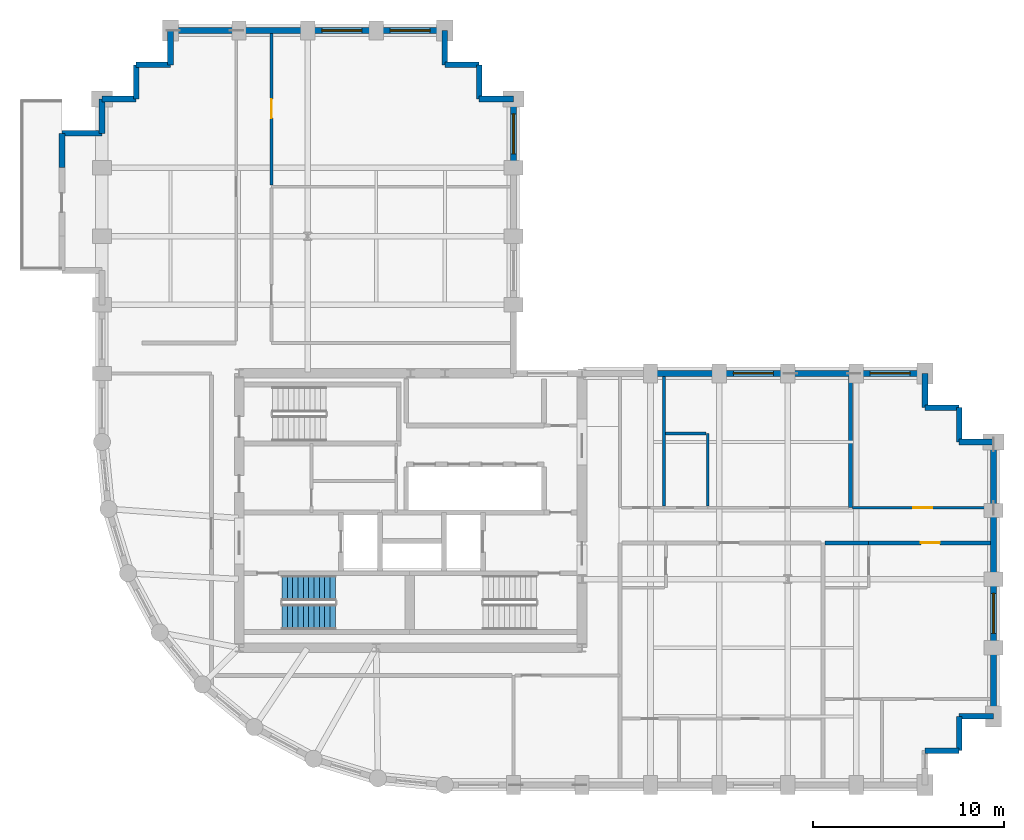
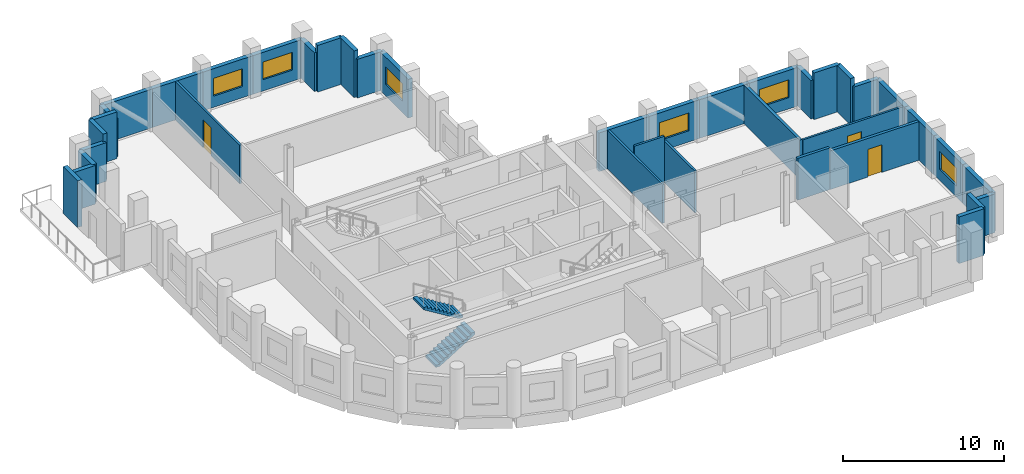
# One storey, part 6 of 9: 39 walls, 6 windows, 3 doors, 2 stair flights, 9 openings, 1 element without a shape of its own.
"""IFC4 building model written with IfcOpenShell, lengths in metres."""

import ifcopenshell
import ifcopenshell.guid

model = None  # the IFC model being written
_history = None  # IfcOwnerHistory: only IFC2X3 demands one
_inside = {}  # id of a spatial element -> (the spatial element, [elements in it])
_under = {}  # id of a project, library or spatial element -> (it, [spatial elements below it])
_declared = {}  # id of a project -> (the project, [libraries it declares])
_typed = {}  # id of a type object -> (the type object, [elements of that type])
_made_of = {}  # id of a material, layer set ... -> (it, [elements and type objects made of it])


def new_model(schema):
    """Start an empty IFC model of exactly this schema.

    Asked for "IFC4X3", IfcOpenShell would pick the latest addendum, in which some entities
    have other attributes; the version numbers below select the first issue.
    IFC2X3 requires an IfcOwnerHistory on every rooted entity: one is made here for all.
    """
    global model, _history
    if schema == "IFC4X3":
        model = ifcopenshell.file(schema_version=(4, 3, 0, 0))
    else:
        model = ifcopenshell.file(schema=schema)
    _inside.clear()
    _under.clear()
    _declared.clear()
    _typed.clear()
    _made_of.clear()
    _history = None
    if model.schema == "IFC2X3":
        org = make("IfcOrganization", Name="unknown")
        user = make(
            "IfcPersonAndOrganization",
            ThePerson=make("IfcPerson", FamilyName="unknown"),
            TheOrganization=org,
        )
        app = make(
            "IfcApplication",
            ApplicationDeveloper=org,
            Version="unknown",
            ApplicationFullName="unknown",
            ApplicationIdentifier="unknown",
        )
        _history = make(
            "IfcOwnerHistory",
            OwningUser=user,
            OwningApplication=app,
            ChangeAction="ADDED",
            CreationDate=0,
        )
    return model


def make(cls, **values):
    """One entity of the class cls with the attributes given. An attribute that is None is left unset."""
    return model.create_entity(
        cls, **{name: value for name, value in values.items() if value is not None}
    )


def rooted(cls, **values):
    """An entity with a GlobalId (a new one), such as an element, a storey or a relation."""
    return make(cls, GlobalId=ifcopenshell.guid.new(), OwnerHistory=_history, **values)


def si_unit(unit_type, name, prefix=None):
    """IfcSIUnit, for example si_unit("LENGTHUNIT", "METRE", prefix="MILLI")."""
    return make("IfcSIUnit", UnitType=unit_type, Prefix=prefix, Name=name)


def assignment(units):
    """IfcUnitAssignment: the units of a project."""
    return None if units is None else make("IfcUnitAssignment", Units=units)


def point(xyz):
    """IfcCartesianPoint."""
    return None if xyz is None else make("IfcCartesianPoint", Coordinates=xyz)


def direction(xyz):
    """IfcDirection."""
    return None if xyz is None else make("IfcDirection", DirectionRatios=xyz)


def frame(location, z_axis=None, x_axis=None):
    """IfcAxis2Placement3D, a coordinate frame: its origin and axes. An axis left out is left unset."""
    return make(
        "IfcAxis2Placement3D",
        Location=point(location),
        Axis=direction(z_axis),
        RefDirection=direction(x_axis),
    )


def frame_2d(location, x_axis=None):
    """IfcAxis2Placement2D, a coordinate frame in the plane: its origin and x axis."""
    return make(
        "IfcAxis2Placement2D", Location=point(location), RefDirection=direction(x_axis)
    )


def origin():
    """The frame at (0, 0, 0) with its axes left unset."""
    return frame((0.0, 0.0, 0.0))


def place(relative_to, where):
    """IfcLocalPlacement: puts the frame where relative to a parent placement (None: the world)."""
    return make(
        "IfcLocalPlacement", PlacementRelTo=relative_to, RelativePlacement=where
    )


def context(
    kind, dimensions, precision=None, world=None, true_north=None, identifier=None
):
    """IfcGeometricRepresentationContext, for example the 3D "Model" context."""
    return make(
        "IfcGeometricRepresentationContext",
        ContextIdentifier=identifier,
        ContextType=kind,
        CoordinateSpaceDimension=dimensions,
        Precision=precision,
        WorldCoordinateSystem=world,
        TrueNorth=true_north,
    )


def subcontext(parent, identifier, kind, view, scale=None):
    """IfcGeometricRepresentationSubContext, for example "Body" below "Model"."""
    return make(
        "IfcGeometricRepresentationSubContext",
        ContextIdentifier=identifier,
        ContextType=kind,
        ParentContext=parent,
        TargetScale=scale,
        TargetView=view,
    )


def project(units=None, contexts=None):
    """IfcProject with its units and contexts."""
    return rooted(
        "IfcProject",
        Name="project",
        RepresentationContexts=contexts,
        UnitsInContext=assignment(units),
    )


def spatial(cls, under=None, at=None, **own):
    """A site, building, storey or space (cls), placed at a placement, below another one or the project."""
    s = rooted(cls, ObjectPlacement=at, **own)
    if under is not None:
        _under.setdefault(under.id(), (under, []))[1].append(s)
    return s


def polyline(points):
    """IfcPolyline through the points."""
    return make("IfcPolyline", Points=[point(p) for p in points])


def profile(cls, at=None, kind="AREA", **sizes):
    """A parametric profile (cls). Its sizes go by their IFC names, for example OverallWidth=200.0."""
    return make(cls, ProfileType=kind, Position=at, **sizes)


def rectangle(**sizes):
    """IfcRectangleProfileDef."""
    return profile("IfcRectangleProfileDef", **sizes)


def outline(outer, holes=None, kind="AREA"):
    """IfcArbitraryClosedProfileDef: a profile drawn as a closed curve; with holes, ...WithVoids."""
    if holes is None:
        return make("IfcArbitraryClosedProfileDef", ProfileType=kind, OuterCurve=outer)
    return make(
        "IfcArbitraryProfileDefWithVoids",
        ProfileType=kind,
        OuterCurve=outer,
        InnerCurves=holes,
    )


def extrude(swept, where, along, depth):
    """IfcExtrudedAreaSolid: the profile swept, set in the frame where, extruded along a direction by depth."""
    return make(
        "IfcExtrudedAreaSolid",
        SweptArea=swept,
        Position=where,
        ExtrudedDirection=direction(along),
        Depth=depth,
    )


def shape(context_of_items, identifier, shape_type, items):
    """IfcShapeRepresentation: the items that make up one representation, for example the "Body"."""
    return make(
        "IfcShapeRepresentation",
        ContextOfItems=context_of_items,
        RepresentationIdentifier=identifier,
        RepresentationType=shape_type,
        Items=items,
    )


def material(Name=None, Category=None):
    """IfcMaterial."""
    return make("IfcMaterial", Name=Name, Category=Category)


def layer(
    of_material, thickness, ventilated=None, Name=None, Category=None, Priority=None
):
    """IfcMaterialLayer: one layer of a wall or slab, of a material (None: an air gap)."""
    return make(
        "IfcMaterialLayer",
        Material=of_material,
        LayerThickness=thickness,
        IsVentilated=ventilated,
        Name=Name,
        Category=Category,
        Priority=Priority,
    )


def layer_set(layers, Name=None):
    """IfcMaterialLayerSet."""
    return make("IfcMaterialLayerSet", MaterialLayers=layers, LayerSetName=Name)


def made_of(thing, what):
    """Note that an element or type object is made of a material, layer set ...; save() writes the relation."""
    if what is not None:
        _made_of.setdefault(what.id(), (what, []))[1].append(thing)
    return thing


def type_object(cls, material=None, **own):
    """A type object (cls), such as IfcWallType, which elements share."""
    return made_of(rooted(cls, **own), material)


def element(
    cls,
    number,
    at=None,
    inside=None,
    cuts=None,
    type_object=None,
    material=None,
    context=None,
    identifier="Body",
    shape_type=None,
    held_by="IfcProductDefinitionShape",
    body=None,
    shapes=None,
    **own,
):
    """One element of the class cls, such as IfcWall. Its Tag is "e" and its number.

    at: its placement. inside: the storey or other place that contains it. cuts: it is an
    opening in that element (IfcRelVoidsElement). A single representation is given by context,
    identifier, shape_type and body (its items); several are given by shapes. held_by: the class
    of the entity that holds the representations. save() writes the other relations.
    """
    e = rooted(cls, Tag="e%d" % number, ObjectPlacement=at, **own)
    if body is not None:
        shapes = [shape(context, identifier, shape_type, body)]
    if shapes is not None:
        e.Representation = make(held_by, Representations=shapes)
    if inside is not None:
        _inside.setdefault(inside.id(), (inside, []))[1].append(e)
    if cuts is not None:
        rooted(
            "IfcRelVoidsElement", RelatingBuildingElement=cuts, RelatedOpeningElement=e
        )
    if type_object is not None:
        _typed.setdefault(type_object.id(), (type_object, []))[1].append(e)
    return made_of(e, material)


def fill(opening, filler):
    """IfcRelFillsElement: the door or window that sits in an opening."""
    return rooted(
        "IfcRelFillsElement",
        RelatingOpeningElement=opening,
        RelatedBuildingElement=filler,
    )


def aggregate(whole, parts):
    """IfcRelAggregates: a whole, such as a stair, and the parts it consists of."""
    return rooted("IfcRelAggregates", RelatingObject=whole, RelatedObjects=parts)


def save(model, path):
    """Write the relations noted so far, then the file.

    IfcRelAggregates (storeys below a building ...), IfcRelContainedInSpatialStructure (elements
    in a storey), IfcRelDefinesByType, IfcRelAssociatesMaterial and IfcRelDeclares: one each for
    every whole, place, type object, material and project.
    """
    for whole, parts in _under.values():
        aggregate(whole, parts)
    for where, things in _inside.values():
        rooted(
            "IfcRelContainedInSpatialStructure",
            RelatedElements=things,
            RelatingStructure=where,
        )
    for kind, things in _typed.values():
        rooted("IfcRelDefinesByType", RelatedObjects=things, RelatingType=kind)
    for what, things in _made_of.values():
        rooted("IfcRelAssociatesMaterial", RelatedObjects=things, RelatingMaterial=what)
    for by, libraries in _declared.values():
        rooted("IfcRelDeclares", RelatingContext=by, RelatedDefinitions=libraries)
    model.write(path)


model = new_model("IFC4")

# Units and contexts
model_context = context("Model", 3, precision=1e-05, world=origin(), true_north=direction((0.0, 1.0)))
body_context = subcontext(model_context, "Body", "Model", "MODEL_VIEW")
ifc_project = project(units=[si_unit("LENGTHUNIT", "METRE"), si_unit("AREAUNIT", "SQUARE_METRE"), si_unit("VOLUMEUNIT", "CUBIC_METRE"), si_unit("PLANEANGLEUNIT", "RADIAN"), si_unit("MASSUNIT", "GRAM", prefix="KILO")], contexts=[model_context])

# Site, building, storey
site_placement = place(None, origin())
site = spatial("IfcSite", under=ifc_project, at=site_placement, CompositionType="ELEMENT")
building_placement = place(site_placement, origin())
building = spatial("IfcBuilding", under=site, at=building_placement, Name="Solnavia Interchange Tower", CompositionType="ELEMENT")
storey_placement = place(building_placement, frame((0.0, 0.0, 154.199951171875)))
storey = spatial("IfcBuildingStorey", under=building, at=storey_placement, Name="L38", CompositionType="ELEMENT", Elevation=154.199951171875)

# Wall
ifc_material_1 = material(Name="Gypsum Acoustic Twin-Stud & Mineral Wool", Category="gypsum")
ifc_layer_1 = layer(ifc_material_1, 0.199951171875)
ifc_layer_set_1 = layer_set([ifc_layer_1], Name="Gypsum Acoustic Twin-Stud & Mineral Wool")
wall_type_1 = type_object("IfcWallType", Name="Wall-ApartmentParty-200", PredefinedType="PARTITIONING", material=ifc_layer_set_1)
wall_1_placement = place(storey_placement, frame((45.154052734375, 16.300048828125, 0.0), z_axis=(0.0, 0.0, 1.0), x_axis=(1.0, 0.0, 0.0)))
element("IfcWall", 1, at=wall_1_placement, inside=storey, type_object=wall_type_1, Name="PTW-L38-21 Interior partition wall", PredefinedType="PARTITIONING", context=body_context, shape_type="SweptSolid", body=[
    extrude(rectangle(XDim=2.2958984375, YDim=0.199951171875, at=frame_2d((1.14794921875, 0.0))), origin(), (0.0, 0.0, 1.0), 3.170166015625),
])

# Wall, opening, door
wall_2_placement = place(storey_placement, frame((47.449951171875, 16.300048828125, 0.0), z_axis=(0.0, 0.0, 1.0), x_axis=(1.0, 0.0, 0.0)))
wall_2 = element("IfcWall", 2, at=wall_2_placement, inside=storey, type_object=wall_type_1, Name="PTW-L38-24 Interior partition wall", PredefinedType="PARTITIONING", context=body_context, shape_type="SweptSolid", body=[
    extrude(rectangle(XDim=6.39599609375, YDim=0.199951171875, at=frame_2d((3.197998046875, 0.0))), origin(), (0.0, 0.0, 1.0), 2.929931640625),
])
opening_1_placement = place(wall_2_placement, frame((2.735107421875, 0.0, 0.0)))
opening_1 = element("IfcOpeningElement", 3, at=opening_1_placement, cuts=wall_2, Name="Opening DR-06", PredefinedType="OPENING", context=body_context, shape_type="SweptSolid", body=[
    extrude(rectangle(XDim=1.0, YDim=2.10009765625, at=frame_2d((0.5, 1.050048828125))), frame((0.0, 0.10986328125, 0.0), z_axis=(0.0, -1.0, 0.0), x_axis=(1.0, 0.0, 0.0)), (0.0, 0.0, 1.0), 0.219970703125),
])
ifc_material_2 = material(Name="Engineered Timber Acoustic Fire Door", Category="wood")
door_type_1 = type_object("IfcDoorType", Name="Door-FlatEntry-1000x2100", OperationType="SINGLE_SWING_LEFT", PredefinedType="DOOR", material=ifc_material_2)
door_1_placement = place(opening_1_placement, origin())
door_1 = element("IfcDoor", 4, at=door_1_placement, inside=storey, type_object=door_type_1, Name="DR-L38-10 Interior room door", OperationType="SINGLE_SWING_LEFT", OverallHeight=2.10009765625, OverallWidth=1.0, PredefinedType="DOOR", context=body_context, shape_type="SweptSolid", body=[
    extrude(rectangle(XDim=1.0, YDim=2.10009765625, at=frame_2d((0.5, 1.050048828125))), frame((0.0, 0.02490234375, 0.0), z_axis=(0.0, -1.0, 0.0), x_axis=(1.0, 0.0, 0.0)), (0.0, 0.0, 1.0), 0.050048828125),
])
fill(opening_1, door_1)

# Walls
wall_3_placement = place(storey_placement, frame((46.5, 18.14990234375, 0.0), z_axis=(0.0, 0.0, 1.0), x_axis=(0.0, 1.0, 0.0)))
element("IfcWall", 5, at=wall_3_placement, inside=storey, type_object=wall_type_1, Name="PTW-L38-28 Interior partition wall", PredefinedType="PARTITIONING", context=body_context, shape_type="SweptSolid", body=[
    extrude(rectangle(XDim=6.89599609375, YDim=0.199951171875, at=frame_2d((3.447998046875, 0.0))), origin(), (0.0, 0.0, 1.0), 2.929931640625),
])
ifc_material_3 = material(Name="Concrete C40/50", Category="concrete")
ifc_layer_2 = layer(ifc_material_3, 0.300048828125)
ifc_layer_set_2 = layer_set([ifc_layer_2], Name="Concrete C40/50")
wall_type_2 = type_object("IfcWallType", Name="Wall-ExtSpandrel-300", PredefinedType="STANDARD", material=ifc_layer_set_2)
for number, where, z_axis, x_axis, name in (
    (6, (52.199951171875, 5.39990234375, 0.0), (0.0, 0.0, 1.0), (-1.0, 0.0, 0.0), "EXW-L38-09 Exterior precast spandrel wall"),
    (7, (52.199951171875, 7.199951171875, 0.0), (0.0, 0.0, 1.0), (0.0, -1.0, 0.0), "EXW-L38-10 Exterior precast spandrel wall"),
):
    element("IfcWall", number, at=place(storey_placement, frame(where, z_axis=z_axis, x_axis=x_axis)), inside=storey, type_object=wall_type_2, Name=name, PredefinedType="STANDARD", context=body_context, shape_type="SweptSolid", body=[
        extrude(rectangle(XDim=1.800048828125, YDim=0.300048828125, at=frame_2d((0.89990234375, 0.0))), origin(), (0.0, 0.0, 1.0), 3.53515625),
    ])
wall_4_placement = place(storey_placement, frame((54.0, 7.199951171875, 0.0), z_axis=(0.0, 0.0, 1.0), x_axis=(-1.0, 0.0, 0.0)))
element("IfcWall", 8, at=wall_4_placement, inside=storey, type_object=wall_type_2, Name="EXW-L38-11 Exterior precast spandrel wall", PredefinedType="STANDARD", context=body_context, shape_type="SweptSolid", body=[
    extrude(rectangle(XDim=1.800048828125, YDim=0.300048828125, at=frame_2d((0.89990234375, 0.0))), origin(), (0.0, 0.0, 1.0), 2.929931640625),
])
wall_5_placement = place(storey_placement, frame((54.0, 10.800048828125, 0.0), z_axis=(0.0, 0.0, 1.0), x_axis=(0.0, -1.0, 0.0)))
element("IfcWall", 9, at=wall_5_placement, inside=storey, type_object=wall_type_2, Name="EXW-L38-12 Exterior precast spandrel wall", PredefinedType="STANDARD", context=body_context, shape_type="SweptSolid", body=[
    extrude(rectangle(XDim=3.60009765625, YDim=0.300048828125, at=frame_2d((1.800048828125, 0.0))), origin(), (0.0, 0.0, 1.0), 2.929931640625),
])

# Wall, opening, window
wall_6_placement = place(storey_placement, frame((54.0, 14.39990234375, 0.0), z_axis=(0.0, 0.0, 1.0), x_axis=(0.0, -1.0, 0.0)))
wall_6 = element("IfcWall", 10, at=wall_6_placement, inside=storey, type_object=wall_type_2, Name="EXW-L38-13 Exterior precast spandrel wall", PredefinedType="STANDARD", context=body_context, shape_type="SweptSolid", body=[
    extrude(rectangle(XDim=3.599853515625, YDim=0.300048828125, at=frame_2d((1.7998046875, 0.0))), origin(), (0.0, 0.0, 1.0), 2.929931640625),
])
opening_2_placement = place(wall_6_placement, frame((0.75, 0.0, 0.85009765625)))
opening_2 = element("IfcOpeningElement", 11, at=opening_2_placement, cuts=wall_6, Name="Opening WIN-01", PredefinedType="OPENING", context=body_context, shape_type="SweptSolid", body=[
    extrude(rectangle(XDim=2.10009765625, YDim=1.35009765625, at=frame_2d((1.050048828125, 0.675048828125))), frame((0.0, 0.16015625, 0.0), z_axis=(0.0, -1.0, 0.0), x_axis=(1.0, 0.0, 0.0)), (0.0, 0.0, 1.0), 0.320068359375),
])
ifc_material_4 = material(Name="Thermal-Break Aluminium & Low-E Glass", Category="aluminium")
window_type = type_object("IfcWindowType", Name="Window-Ribbon-2100x1350", PartitioningType="SINGLE_PANEL", PredefinedType="WINDOW", material=ifc_material_4)
window_1_placement = place(opening_2_placement, origin())
window_1 = element("IfcWindow", 12, at=window_1_placement, inside=storey, type_object=window_type, Name="WIN-L38-13 Facade ribbon window", OverallHeight=1.35009765625, OverallWidth=2.10009765625, PartitioningType="SINGLE_PANEL", PredefinedType="WINDOW", context=body_context, shape_type="SweptSolid", body=[
    extrude(rectangle(XDim=2.10009765625, YDim=1.35009765625, at=frame_2d((1.050048828125, 0.675048828125))), frame((0.0, 0.030029296875, 0.0), z_axis=(0.0, -1.0, 0.0), x_axis=(1.0, 0.0, 0.0)), (0.0, 0.0, 1.0), 0.06005859375),
])
fill(opening_2, window_1)

# Walls
for number, where, z_axis, x_axis, name in (
    (13, (54.0, 18.0, 0.0), (0.0, 0.0, 1.0), (0.0, -1.0, 0.0), "EXW-L38-14 Exterior precast spandrel wall"),
    (14, (54.0, 21.60009765625, 0.0), (0.0, 0.0, 1.0), (0.0, -1.0, 0.0), "EXW-L38-15 Exterior precast spandrel wall"),
):
    element("IfcWall", number, at=place(storey_placement, frame(where, z_axis=z_axis, x_axis=x_axis)), inside=storey, type_object=wall_type_2, Name=name, PredefinedType="STANDARD", context=body_context, shape_type="SweptSolid", body=[
        extrude(rectangle(XDim=3.60009765625, YDim=0.300048828125, at=frame_2d((1.800048828125, 0.0))), origin(), (0.0, 0.0, 1.0), 2.929931640625),
    ])
wall_7_placement = place(storey_placement, frame((52.199951171875, 21.60009765625, 0.0), z_axis=(0.0, 0.0, 1.0), x_axis=(1.0, 0.0, 0.0)))
element("IfcWall", 15, at=wall_7_placement, inside=storey, type_object=wall_type_2, Name="EXW-L38-16 Exterior precast spandrel wall", PredefinedType="STANDARD", context=body_context, shape_type="SweptSolid", body=[
    extrude(rectangle(XDim=1.800048828125, YDim=0.300048828125, at=frame_2d((0.89990234375, 0.0))), origin(), (0.0, 0.0, 1.0), 2.929931640625),
])
wall_8_placement = place(storey_placement, frame((52.199951171875, 23.39990234375, 0.0), z_axis=(0.0, 0.0, 1.0), x_axis=(0.0, -1.0, 0.0)))
element("IfcWall", 16, at=wall_8_placement, inside=storey, type_object=wall_type_2, Name="EXW-L38-17 Exterior precast spandrel wall", PredefinedType="STANDARD", context=body_context, shape_type="SweptSolid", body=[
    extrude(rectangle(XDim=1.7998046875, YDim=0.300048828125, at=frame_2d((0.89990234375, 0.0))), origin(), (0.0, 0.0, 1.0), 3.53515625),
])
wall_9_placement = place(storey_placement, frame((50.39990234375, 23.39990234375, 0.0), z_axis=(0.0, 0.0, 1.0), x_axis=(1.0, 0.0, 0.0)))
element("IfcWall", 17, at=wall_9_placement, inside=storey, type_object=wall_type_2, Name="EXW-L38-18 Exterior precast spandrel wall", PredefinedType="STANDARD", context=body_context, shape_type="SweptSolid", body=[
    extrude(rectangle(XDim=1.800048828125, YDim=0.300048828125, at=frame_2d((0.89990234375, 0.0))), origin(), (0.0, 0.0, 1.0), 3.53515625),
])
wall_10_placement = place(storey_placement, frame((50.39990234375, 25.199951171875, 0.0), z_axis=(0.0, 0.0, 1.0), x_axis=(0.0, -1.0, 0.0)))
element("IfcWall", 18, at=wall_10_placement, inside=storey, type_object=wall_type_2, Name="EXW-L38-19 Exterior precast spandrel wall", PredefinedType="STANDARD", context=body_context, shape_type="SweptSolid", body=[
    extrude(rectangle(XDim=1.800048828125, YDim=0.300048828125, at=frame_2d((0.89990234375, 0.0))), origin(), (0.0, 0.0, 1.0), 2.929931640625),
])

# Wall, opening, window
wall_11_placement = place(storey_placement, frame((46.800048828125, 25.199951171875, 0.0), z_axis=(0.0, 0.0, 1.0), x_axis=(1.0, 0.0, 0.0)))
wall_11 = element("IfcWall", 19, at=wall_11_placement, inside=storey, type_object=wall_type_2, Name="EXW-L38-20 Exterior precast spandrel wall", PredefinedType="STANDARD", context=body_context, shape_type="SweptSolid", body=[
    extrude(rectangle(XDim=3.599853515625, YDim=0.300048828125, at=frame_2d((1.7998046875, 0.0))), origin(), (0.0, 0.0, 1.0), 2.929931640625),
])
opening_3_placement = place(wall_11_placement, frame((0.72509765625, 0.0, 0.85009765625)))
opening_3 = element("IfcOpeningElement", 20, at=opening_3_placement, cuts=wall_11, Name="Opening WIN-01", PredefinedType="OPENING", context=body_context, shape_type="SweptSolid", body=[
    extrude(rectangle(XDim=2.10009765625, YDim=1.35009765625, at=frame_2d((1.050048828125, 0.675048828125))), frame((0.0, 0.16015625, 0.0), z_axis=(0.0, -1.0, 0.0), x_axis=(1.0, 0.0, 0.0)), (0.0, 0.0, 1.0), 0.320068359375),
])
window_2_placement = place(opening_3_placement, origin())
window_2 = element("IfcWindow", 21, at=window_2_placement, inside=storey, type_object=window_type, Name="WIN-L38-20 Facade ribbon window", OverallHeight=1.35009765625, OverallWidth=2.10009765625, PartitioningType="SINGLE_PANEL", PredefinedType="WINDOW", context=body_context, shape_type="SweptSolid", body=[
    extrude(rectangle(XDim=2.10009765625, YDim=1.35009765625, at=frame_2d((1.050048828125, 0.675048828125))), frame((0.0, 0.030029296875, 0.0), z_axis=(0.0, -1.0, 0.0), x_axis=(1.0, 0.0, 0.0)), (0.0, 0.0, 1.0), 0.06005859375),
])
fill(opening_3, window_2)

# Wall
wall_12_placement = place(storey_placement, frame((43.199951171875, 25.199951171875, 0.0), z_axis=(0.0, 0.0, 1.0), x_axis=(1.0, 0.0, 0.0)))
element("IfcWall", 22, at=wall_12_placement, inside=storey, type_object=wall_type_2, Name="EXW-L38-21 Exterior precast spandrel wall", PredefinedType="STANDARD", context=body_context, shape_type="SweptSolid", body=[
    extrude(rectangle(XDim=3.60009765625, YDim=0.300048828125, at=frame_2d((1.800048828125, 0.0))), origin(), (0.0, 0.0, 1.0), 2.929931640625),
])

# Wall, opening, window
wall_13_placement = place(storey_placement, frame((39.60009765625, 25.199951171875, 0.0), z_axis=(0.0, 0.0, 1.0), x_axis=(1.0, 0.0, 0.0)))
wall_13 = element("IfcWall", 23, at=wall_13_placement, inside=storey, type_object=wall_type_2, Name="EXW-L38-22 Exterior precast spandrel wall", PredefinedType="STANDARD", context=body_context, shape_type="SweptSolid", body=[
    extrude(rectangle(XDim=3.599853515625, YDim=0.300048828125, at=frame_2d((1.7998046875, 0.0))), origin(), (0.0, 0.0, 1.0), 2.929931640625),
])
opening_4_placement = place(wall_13_placement, frame((0.75, 0.0, 0.85009765625)))
opening_4 = element("IfcOpeningElement", 24, at=opening_4_placement, cuts=wall_13, Name="Opening WIN-01", PredefinedType="OPENING", context=body_context, shape_type="SweptSolid", body=[
    extrude(rectangle(XDim=2.10009765625, YDim=1.35009765625, at=frame_2d((1.050048828125, 0.675048828125))), frame((0.0, 0.16015625, 0.0), z_axis=(0.0, -1.0, 0.0), x_axis=(1.0, 0.0, 0.0)), (0.0, 0.0, 1.0), 0.320068359375),
])
window_3_placement = place(opening_4_placement, origin())
window_3 = element("IfcWindow", 25, at=window_3_placement, inside=storey, type_object=window_type, Name="WIN-L38-22 Facade ribbon window", OverallHeight=1.35009765625, OverallWidth=2.10009765625, PartitioningType="SINGLE_PANEL", PredefinedType="WINDOW", context=body_context, shape_type="SweptSolid", body=[
    extrude(rectangle(XDim=2.10009765625, YDim=1.35009765625, at=frame_2d((1.050048828125, 0.675048828125))), frame((0.0, 0.030029296875, 0.0), z_axis=(0.0, -1.0, 0.0), x_axis=(1.0, 0.0, 0.0)), (0.0, 0.0, 1.0), 0.06005859375),
])
fill(opening_4, window_3)

# Wall
wall_14_placement = place(storey_placement, frame((36.0, 25.199951171875, 0.0), z_axis=(0.0, 0.0, 1.0), x_axis=(1.0, 0.0, 0.0)))
element("IfcWall", 26, at=wall_14_placement, inside=storey, type_object=wall_type_2, Name="EXW-L38-23 Exterior precast spandrel wall", PredefinedType="STANDARD", context=body_context, shape_type="SweptSolid", body=[
    extrude(rectangle(XDim=3.60009765625, YDim=0.300048828125, at=frame_2d((1.800048828125, 0.0))), origin(), (0.0, 0.0, 1.0), 2.929931640625),
])

# Wall, opening, window
wall_15_placement = place(storey_placement, frame((28.800048828125, 39.60009765625, 0.0), z_axis=(0.0, 0.0, 1.0), x_axis=(0.0, -1.0, 0.0)))
wall_15 = element("IfcWall", 27, at=wall_15_placement, inside=storey, type_object=wall_type_2, Name="EXW-L38-29 Exterior precast spandrel wall", PredefinedType="STANDARD", context=body_context, shape_type="SweptSolid", body=[
    extrude(rectangle(XDim=3.60009765625, YDim=0.300048828125, at=frame_2d((1.800048828125, 0.0))), origin(), (0.0, 0.0, 1.0), 2.929931640625),
])
opening_5_placement = place(wall_15_placement, frame((0.77490234375, 0.0, 0.85009765625)))
opening_5 = element("IfcOpeningElement", 28, at=opening_5_placement, cuts=wall_15, Name="Opening WIN-01", PredefinedType="OPENING", context=body_context, shape_type="SweptSolid", body=[
    extrude(rectangle(XDim=2.10009765625, YDim=1.35009765625, at=frame_2d((1.050048828125, 0.675048828125))), frame((0.0, 0.16015625, 0.0), z_axis=(0.0, -1.0, 0.0), x_axis=(1.0, 0.0, 0.0)), (0.0, 0.0, 1.0), 0.320068359375),
])
window_4_placement = place(opening_5_placement, origin())
window_4 = element("IfcWindow", 29, at=window_4_placement, inside=storey, type_object=window_type, Name="WIN-L38-29 Facade ribbon window", OverallHeight=1.35009765625, OverallWidth=2.10009765625, PartitioningType="SINGLE_PANEL", PredefinedType="WINDOW", context=body_context, shape_type="SweptSolid", body=[
    extrude(rectangle(XDim=2.10009765625, YDim=1.35009765625, at=frame_2d((1.050048828125, 0.675048828125))), frame((0.0, 0.030029296875, 0.0), z_axis=(0.0, -1.0, 0.0), x_axis=(1.0, 0.0, 0.0)), (0.0, 0.0, 1.0), 0.06005859375),
])
fill(opening_5, window_4)

# Walls
wall_16_placement = place(storey_placement, frame((27.0, 39.60009765625, 0.0), z_axis=(0.0, 0.0, 1.0), x_axis=(1.0, 0.0, 0.0)))
element("IfcWall", 30, at=wall_16_placement, inside=storey, type_object=wall_type_2, Name="EXW-L38-30 Exterior precast spandrel wall", PredefinedType="STANDARD", context=body_context, shape_type="SweptSolid", body=[
    extrude(rectangle(XDim=1.800048828125, YDim=0.300048828125, at=frame_2d((0.89990234375, 0.0))), origin(), (0.0, 0.0, 1.0), 2.929931640625),
])
wall_17_placement = place(storey_placement, frame((27.0, 39.60009765625, 0.0), z_axis=(0.0, 0.0, 1.0), x_axis=(0.0, 1.0, 0.0)))
element("IfcWall", 31, at=wall_17_placement, inside=storey, type_object=wall_type_2, Name="EXW-L38-31 Exterior precast spandrel wall", PredefinedType="STANDARD", context=body_context, shape_type="SweptSolid", body=[
    extrude(rectangle(XDim=1.7998046875, YDim=0.300048828125, at=frame_2d((0.89990234375, 0.0))), origin(), (0.0, 0.0, 1.0), 3.53515625),
])
wall_18_placement = place(storey_placement, frame((25.199951171875, 41.39990234375, 0.0), z_axis=(0.0, 0.0, 1.0), x_axis=(1.0, 0.0, 0.0)))
element("IfcWall", 32, at=wall_18_placement, inside=storey, type_object=wall_type_2, Name="EXW-L38-32 Exterior precast spandrel wall", PredefinedType="STANDARD", context=body_context, shape_type="SweptSolid", body=[
    extrude(rectangle(XDim=1.800048828125, YDim=0.300048828125, at=frame_2d((0.89990234375, 0.0))), origin(), (0.0, 0.0, 1.0), 3.53515625),
])
wall_19_placement = place(storey_placement, frame((25.199951171875, 41.39990234375, 0.0), z_axis=(0.0, 0.0, 1.0), x_axis=(0.0, 1.0, 0.0)))
element("IfcWall", 33, at=wall_19_placement, inside=storey, type_object=wall_type_2, Name="EXW-L38-33 Exterior precast spandrel wall", PredefinedType="STANDARD", context=body_context, shape_type="SweptSolid", body=[
    extrude(rectangle(XDim=1.800048828125, YDim=0.300048828125, at=frame_2d((0.89990234375, 0.0))), origin(), (0.0, 0.0, 1.0), 2.929931640625),
])

# Wall, opening, window
wall_20_placement = place(storey_placement, frame((21.60009765625, 43.199951171875, 0.0), z_axis=(0.0, 0.0, 1.0), x_axis=(1.0, 0.0, 0.0)))
wall_20 = element("IfcWall", 34, at=wall_20_placement, inside=storey, type_object=wall_type_2, Name="EXW-L38-34 Exterior precast spandrel wall", PredefinedType="STANDARD", context=body_context, shape_type="SweptSolid", body=[
    extrude(rectangle(XDim=3.599853515625, YDim=0.300048828125, at=frame_2d((1.7998046875, 0.0))), origin(), (0.0, 0.0, 1.0), 2.929931640625),
])
opening_6_placement = place(wall_20_placement, frame((0.72509765625, 0.0, 0.85009765625)))
opening_6 = element("IfcOpeningElement", 35, at=opening_6_placement, cuts=wall_20, Name="Opening WIN-01", PredefinedType="OPENING", context=body_context, shape_type="SweptSolid", body=[
    extrude(rectangle(XDim=2.10009765625, YDim=1.35009765625, at=frame_2d((1.050048828125, 0.675048828125))), frame((0.0, 0.16015625, 0.0), z_axis=(0.0, -1.0, 0.0), x_axis=(1.0, 0.0, 0.0)), (0.0, 0.0, 1.0), 0.320068359375),
])
window_5_placement = place(opening_6_placement, origin())
window_5 = element("IfcWindow", 36, at=window_5_placement, inside=storey, type_object=window_type, Name="WIN-L38-34 Facade ribbon window", OverallHeight=1.35009765625, OverallWidth=2.10009765625, PartitioningType="SINGLE_PANEL", PredefinedType="WINDOW", context=body_context, shape_type="SweptSolid", body=[
    extrude(rectangle(XDim=2.10009765625, YDim=1.35009765625, at=frame_2d((1.050048828125, 0.675048828125))), frame((0.0, 0.030029296875, 0.0), z_axis=(0.0, -1.0, 0.0), x_axis=(1.0, 0.0, 0.0)), (0.0, 0.0, 1.0), 0.06005859375),
])
fill(opening_6, window_5)

wall_21_placement = place(storey_placement, frame((18.0, 43.199951171875, 0.0), z_axis=(0.0, 0.0, 1.0), x_axis=(1.0, 0.0, 0.0)))
wall_21 = element("IfcWall", 37, at=wall_21_placement, inside=storey, type_object=wall_type_2, Name="EXW-L38-35 Exterior precast spandrel wall", PredefinedType="STANDARD", context=body_context, shape_type="SweptSolid", body=[
    extrude(rectangle(XDim=3.60009765625, YDim=0.300048828125, at=frame_2d((1.800048828125, 0.0))), origin(), (0.0, 0.0, 1.0), 2.929931640625),
])
opening_7_placement = place(wall_21_placement, frame((0.75, 0.0, 0.85009765625)))
opening_7 = element("IfcOpeningElement", 38, at=opening_7_placement, cuts=wall_21, Name="Opening WIN-01", PredefinedType="OPENING", context=body_context, shape_type="SweptSolid", body=[
    extrude(rectangle(XDim=2.10009765625, YDim=1.35009765625, at=frame_2d((1.050048828125, 0.675048828125))), frame((0.0, 0.16015625, 0.0), z_axis=(0.0, -1.0, 0.0), x_axis=(1.0, 0.0, 0.0)), (0.0, 0.0, 1.0), 0.320068359375),
])
window_6_placement = place(opening_7_placement, origin())
window_6 = element("IfcWindow", 39, at=window_6_placement, inside=storey, type_object=window_type, Name="WIN-L38-35 Facade ribbon window", OverallHeight=1.35009765625, OverallWidth=2.10009765625, PartitioningType="SINGLE_PANEL", PredefinedType="WINDOW", context=body_context, shape_type="SweptSolid", body=[
    extrude(rectangle(XDim=2.10009765625, YDim=1.35009765625, at=frame_2d((1.050048828125, 0.675048828125))), frame((0.0, 0.030029296875, 0.0), z_axis=(0.0, -1.0, 0.0), x_axis=(1.0, 0.0, 0.0)), (0.0, 0.0, 1.0), 0.06005859375),
])
fill(opening_7, window_6)

# Walls
wall_22_placement = place(storey_placement, frame((14.39990234375, 43.199951171875, 0.0), z_axis=(0.0, 0.0, 1.0), x_axis=(1.0, 0.0, 0.0)))
element("IfcWall", 40, at=wall_22_placement, inside=storey, type_object=wall_type_2, Name="EXW-L38-36 Exterior precast spandrel wall", PredefinedType="STANDARD", context=body_context, shape_type="SweptSolid", body=[
    extrude(rectangle(XDim=3.60009765625, YDim=0.300048828125, at=frame_2d((1.800048828125, 0.0))), origin(), (0.0, 0.0, 1.0), 2.929931640625),
])
wall_23_placement = place(storey_placement, frame((10.800048828125, 43.199951171875, 0.0), z_axis=(0.0, 0.0, 1.0), x_axis=(1.0, 0.0, 0.0)))
element("IfcWall", 41, at=wall_23_placement, inside=storey, type_object=wall_type_2, Name="EXW-L38-37 Exterior precast spandrel wall", PredefinedType="STANDARD", context=body_context, shape_type="SweptSolid", body=[
    extrude(rectangle(XDim=3.599853515625, YDim=0.300048828125, at=frame_2d((1.7998046875, 0.0))), origin(), (0.0, 0.0, 1.0), 2.929931640625),
])
wall_24_placement = place(storey_placement, frame((10.800048828125, 41.39990234375, 0.0), z_axis=(0.0, 0.0, 1.0), x_axis=(0.0, 1.0, 0.0)))
element("IfcWall", 42, at=wall_24_placement, inside=storey, type_object=wall_type_2, Name="EXW-L38-38 Exterior precast spandrel wall", PredefinedType="STANDARD", context=body_context, shape_type="SweptSolid", body=[
    extrude(rectangle(XDim=1.800048828125, YDim=0.300048828125, at=frame_2d((0.89990234375, 0.0))), origin(), (0.0, 0.0, 1.0), 2.929931640625),
])
wall_25_placement = place(storey_placement, frame((9.0, 41.39990234375, 0.0), z_axis=(0.0, 0.0, 1.0), x_axis=(1.0, 0.0, 0.0)))
element("IfcWall", 43, at=wall_25_placement, inside=storey, type_object=wall_type_2, Name="EXW-L38-39 Exterior precast spandrel wall", PredefinedType="STANDARD", context=body_context, shape_type="SweptSolid", body=[
    extrude(rectangle(XDim=1.800048828125, YDim=0.300048828125, at=frame_2d((0.89990234375, 0.0))), origin(), (0.0, 0.0, 1.0), 3.53515625),
])
wall_26_placement = place(storey_placement, frame((9.0, 39.60009765625, 0.0), z_axis=(0.0, 0.0, 1.0), x_axis=(0.0, 1.0, 0.0)))
element("IfcWall", 44, at=wall_26_placement, inside=storey, type_object=wall_type_2, Name="EXW-L38-40 Exterior precast spandrel wall", PredefinedType="STANDARD", context=body_context, shape_type="SweptSolid", body=[
    extrude(rectangle(XDim=1.7998046875, YDim=0.300048828125, at=frame_2d((0.89990234375, 0.0))), origin(), (0.0, 0.0, 1.0), 3.53515625),
])
for number, where, z_axis, x_axis, name in (
    (45, (7.199951171875, 39.60009765625, 0.0), (0.0, 0.0, 1.0), (1.0, 0.0, 0.0), "EXW-L38-41 Exterior precast spandrel wall"),
    (46, (7.199951171875, 37.800048828125, 0.0), (0.0, 0.0, 1.0), (0.0, 1.0, 0.0), "EXW-L38-42 Exterior precast spandrel wall"),
):
    element("IfcWall", number, at=place(storey_placement, frame(where, z_axis=z_axis, x_axis=x_axis)), inside=storey, type_object=wall_type_2, Name=name, PredefinedType="STANDARD", context=body_context, shape_type="SweptSolid", body=[
        extrude(rectangle(XDim=1.800048828125, YDim=0.300048828125, at=frame_2d((0.89990234375, 0.0))), origin(), (0.0, 0.0, 1.0), 2.929931640625),
    ])
wall_27_placement = place(storey_placement, frame((5.10009765625, 37.800048828125, 0.0), z_axis=(0.0, 0.0, 1.0), x_axis=(1.0, 0.0, 0.0)))
element("IfcWall", 47, at=wall_27_placement, inside=storey, type_object=wall_type_2, Name="EXW-L38-43 Exterior precast spandrel wall", PredefinedType="STANDARD", context=body_context, shape_type="SweptSolid", body=[
    extrude(rectangle(XDim=2.099853515625, YDim=0.300048828125, at=frame_2d((1.0498046875, 0.0))), origin(), (0.0, 0.0, 1.0), 2.929931640625),
])
wall_28_placement = place(storey_placement, frame((5.10009765625, 36.0, 0.0), z_axis=(0.0, 0.0, 1.0), x_axis=(0.0, 1.0, 0.0)))
element("IfcWall", 48, at=wall_28_placement, inside=storey, type_object=wall_type_2, Name="EXW-L38-44 Exterior precast spandrel wall", PredefinedType="STANDARD", context=body_context, shape_type="SweptSolid", body=[
    extrude(rectangle(XDim=1.800048828125, YDim=0.300048828125, at=frame_2d((0.89990234375, 0.0))), origin(), (0.0, 0.0, 1.0), 3.53515625),
])

# Wall, opening, door
ifc_material_5 = material(Name="Gypsum Plasterboard & Steel Stud", Category="steel")
ifc_layer_3 = layer(ifc_material_5, 0.14990234375)
ifc_layer_set_3 = layer_set([ifc_layer_3], Name="Gypsum Plasterboard & Steel Stud")
wall_type_3 = type_object("IfcWallType", Name="Wall-Partition-150", PredefinedType="PARTITIONING", material=ifc_layer_set_3)
wall_29_placement = place(storey_placement, frame((46.60400390625, 18.14990234375, 0.0), z_axis=(0.0, 0.0, 1.0), x_axis=(1.0, 0.0, 0.0)))
wall_29 = element("IfcWall", 49, at=wall_29_placement, inside=storey, type_object=wall_type_3, Name="PTW-L38-30 Interior partition wall", PredefinedType="PARTITIONING", context=body_context, shape_type="SweptSolid", body=[
    extrude(rectangle(XDim=7.241943359375, YDim=0.14990234375, at=frame_2d((3.62109375, 0.0))), origin(), (0.0, 0.0, 1.0), 2.929931640625),
])
opening_8_placement = place(wall_29_placement, frame((3.18603515625, 0.0, 0.0)))
opening_8 = element("IfcOpeningElement", 50, at=opening_8_placement, cuts=wall_29, Name="Opening DR-07", PredefinedType="OPENING", context=body_context, shape_type="SweptSolid", body=[
    extrude(rectangle(XDim=1.0, YDim=2.10009765625, at=frame_2d((0.5, 1.050048828125))), frame((0.0, 0.0849609375, 0.0), z_axis=(0.0, -1.0, 0.0), x_axis=(1.0, 0.0, 0.0)), (0.0, 0.0, 1.0), 0.169921875),
])
ifc_material_6 = material(Name="Timber & Acoustic Glazed Office Door", Category="wood")
door_type_2 = type_object("IfcDoorType", Name="Door-Office-1000x2100", OperationType="SINGLE_SWING_RIGHT", PredefinedType="DOOR", material=ifc_material_6)
door_2_placement = place(opening_8_placement, origin())
door_2 = element("IfcDoor", 51, at=door_2_placement, inside=storey, type_object=door_type_2, Name="DR-L38-14 Interior room door", OperationType="SINGLE_SWING_RIGHT", OverallHeight=2.10009765625, OverallWidth=1.0, PredefinedType="DOOR", context=body_context, shape_type="SweptSolid", body=[
    extrude(rectangle(XDim=1.0, YDim=2.10009765625, at=frame_2d((0.5, 1.050048828125))), frame((0.0, 0.02490234375, 0.0), z_axis=(0.0, -1.0, 0.0), x_axis=(1.0, 0.0, 0.0)), (0.0, 0.0, 1.0), 0.050048828125),
])
fill(opening_8, door_2)

wall_30_placement = place(storey_placement, frame((16.10009765625, 35.0791015625, 0.0), z_axis=(0.0, 0.0, 1.0), x_axis=(0.0, 1.0, 0.0)))
wall_30 = element("IfcWall", 52, at=wall_30_placement, inside=storey, type_object=wall_type_3, Name="PTW-L38-36 Interior partition wall", PredefinedType="PARTITIONING", context=body_context, shape_type="SweptSolid", body=[
    extrude(rectangle(XDim=7.966796875, YDim=0.14990234375, at=frame_2d((3.9833984375, 0.0))), origin(), (0.0, 0.0, 1.0), 2.929931640625),
])
opening_9_placement = place(wall_30_placement, frame((3.52099609375, 0.0, 0.0)))
opening_9 = element("IfcOpeningElement", 53, at=opening_9_placement, cuts=wall_30, Name="Opening DR-07", PredefinedType="OPENING", context=body_context, shape_type="SweptSolid", body=[
    extrude(rectangle(XDim=1.0, YDim=2.10009765625, at=frame_2d((0.5, 1.050048828125))), frame((0.0, 0.0849609375, 0.0), z_axis=(0.0, -1.0, 0.0), x_axis=(1.0, 0.0, 0.0)), (0.0, 0.0, 1.0), 0.169921875),
])
door_3_placement = place(opening_9_placement, origin())
door_3 = element("IfcDoor", 54, at=door_3_placement, inside=storey, type_object=door_type_2, Name="DR-L38-17 Interior room door", OperationType="SINGLE_SWING_LEFT", OverallHeight=2.10009765625, OverallWidth=1.0, PredefinedType="DOOR", context=body_context, shape_type="SweptSolid", body=[
    extrude(rectangle(XDim=1.0, YDim=2.10009765625, at=frame_2d((0.5, 1.050048828125))), frame((0.0, 0.02490234375, 0.0), z_axis=(0.0, -1.0, 0.0), x_axis=(1.0, 0.0, 0.0)), (0.0, 0.0, 1.0), 0.050048828125),
])
fill(opening_9, door_3)

# Walls
ifc_material_7 = material(Name="Moisture-Resistant Gypsum & Steel Stud", Category="steel")
ifc_layer_4 = layer(ifc_material_7, 0.14990234375)
ifc_layer_set_4 = layer_set([ifc_layer_4], Name="Moisture-Resistant Gypsum & Steel Stud")
wall_type_4 = type_object("IfcWallType", Name="Wall-WetRoom-150", PredefinedType="PARTITIONING", material=ifc_layer_set_4)
wall_31_placement = place(storey_placement, frame((36.699951171875, 18.22900390625, 0.0), z_axis=(0.0, 0.0, 1.0), x_axis=(0.0, 1.0, 0.0)))
element("IfcWall", 55, at=wall_31_placement, inside=storey, type_object=wall_type_4, Name="PTW-L38-03 Interior partition wall", PredefinedType="PARTITIONING", context=body_context, shape_type="SweptSolid", body=[
    extrude(rectangle(XDim=6.81689453125, YDim=0.14990234375, at=frame_2d((3.408447265625, 0.0))), origin(), (0.0, 0.0, 1.0), 2.929931640625),
])
wall_32_placement = place(storey_placement, frame((39.0, 18.22900390625, 0.0), z_axis=(0.0, 0.0, 1.0), x_axis=(0.0, 1.0, 0.0)))
element("IfcWall", 56, at=wall_32_placement, inside=storey, type_object=wall_type_4, Name="PTW-L38-05 Interior partition wall", PredefinedType="PARTITIONING", context=body_context, shape_type="SweptSolid", body=[
    extrude(rectangle(XDim=3.821044921875, YDim=0.14990234375, at=frame_2d((1.91064453125, 0.0))), origin(), (0.0, 0.0, 1.0), 3.170166015625),
])
wall_33_placement = place(storey_placement, frame((36.779052734375, 22.050048828125, 0.0), z_axis=(0.0, 0.0, 1.0), x_axis=(1.0, 0.0, 0.0)))
element("IfcWall", 57, at=wall_33_placement, inside=storey, type_object=wall_type_4, Name="PTW-L38-06 Interior partition wall", PredefinedType="PARTITIONING", context=body_context, shape_type="SweptSolid", body=[
    extrude(rectangle(XDim=2.141845703125, YDim=0.14990234375, at=frame_2d((1.07080078125, 0.0))), origin(), (0.0, 0.0, 1.0), 3.53515625),
])

# Stair, stair flights
stair_type = type_object("IfcStairType", Name="Stair-Dogleg-RC", PredefinedType="HALF_TURN_STAIR", material=ifc_material_3)
stair_placement = place(storey_placement, origin())
stair = element("IfcStair", 58, at=stair_placement, inside=storey, type_object=stair_type, Name="L38 Core exit stair 1", PredefinedType="HALF_TURN_STAIR")
stair_flight_type = type_object("IfcStairFlightType", Name="StairFlight-RC-150", PredefinedType="STRAIGHT", material=ifc_material_3)
stair_flight_1_placement = place(storey_placement, frame((16.64990234375, 12.409912109375, 0.0), z_axis=(0.0, 0.0, 1.0), x_axis=(1.0, 0.0, 0.0)))
stair_flight_1 = element("IfcStairFlight", 59, at=stair_flight_1_placement, type_object=stair_flight_type, Name="ST-1 flight 1", NumberOfRisers=11, NumberOfTreads=10, PredefinedType="STRAIGHT", RiserHeight=0.172727273, TreadLength=0.28, context=body_context, shape_type="SweptSolid", body=[
    extrude(outline(polyline([(0.0, 0.0), (0.0, 0.172607421875), (0.280029296875, 0.172607421875), (0.280029296875, 0.345458984375), (0.56005859375, 0.345458984375), (0.56005859375, 0.51806640625), (0.840087890625, 0.51806640625), (0.840087890625, 0.69091796875), (1.1201171875, 0.69091796875), (1.1201171875, 0.863525390625), (1.39990234375, 0.863525390625), (1.39990234375, 1.036376953125), (1.679931640625, 1.036376953125), (1.679931640625, 1.208984375), (1.9599609375, 1.208984375), (1.9599609375, 1.3818359375), (2.239990234375, 1.3818359375), (2.239990234375, 1.554443359375), (2.52001953125, 1.554443359375), (2.52001953125, 1.727294921875), (2.800048828125, 1.727294921875), (2.800048828125, 1.89990234375), (2.800048828125, 1.551025390625), (0.285400390625, 0.0), (0.0, 0.0)])), frame((0.0, 0.66015625, 0.0), z_axis=(0.0, -1.0, 0.0), x_axis=(1.0, 0.0, 0.0)), (0.0, 0.0, 1.0), 1.320068359375),
])
stair_flight_2_placement = place(storey_placement, frame((19.449951171875, 13.929931640625, 1.900146484375), z_axis=(0.0, 0.0, 1.0), x_axis=(-1.0, 0.0, 0.0)))
stair_flight_2 = element("IfcStairFlight", 60, at=stair_flight_2_placement, type_object=stair_flight_type, Name="ST-1 flight 2", NumberOfRisers=11, NumberOfTreads=10, PredefinedType="STRAIGHT", RiserHeight=0.172727273, TreadLength=0.28, context=body_context, shape_type="SweptSolid", body=[
    extrude(outline(polyline([(0.0, 0.0), (0.0, 0.172607421875), (0.280029296875, 0.172607421875), (0.280029296875, 0.345458984375), (0.56005859375, 0.345458984375), (0.56005859375, 0.51806640625), (0.840087890625, 0.51806640625), (0.840087890625, 0.69091796875), (1.1201171875, 0.69091796875), (1.1201171875, 0.863525390625), (1.39990234375, 0.863525390625), (1.39990234375, 1.036376953125), (1.679931640625, 1.036376953125), (1.679931640625, 1.208984375), (1.9599609375, 1.208984375), (1.9599609375, 1.3818359375), (2.239990234375, 1.3818359375), (2.239990234375, 1.554443359375), (2.52001953125, 1.554443359375), (2.52001953125, 1.727294921875), (2.800048828125, 1.727294921875), (2.800048828125, 1.89990234375), (2.800048828125, 1.551025390625), (0.285400390625, 0.0), (0.0, 0.0)])), frame((0.0, 0.66015625, 0.0), z_axis=(0.0, -1.0, 0.0), x_axis=(1.0, 0.0, 0.0)), (0.0, 0.0, 1.0), 1.320068359375),
])
aggregate(stair, [stair_flight_1, stair_flight_2])

save(model, "model.ifc")
